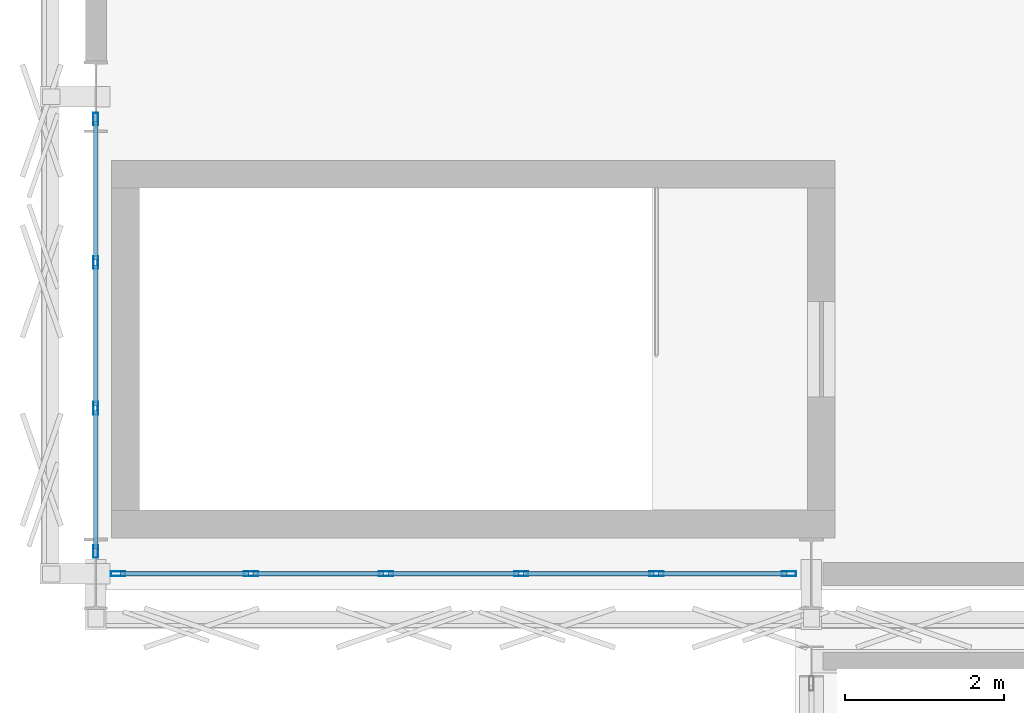
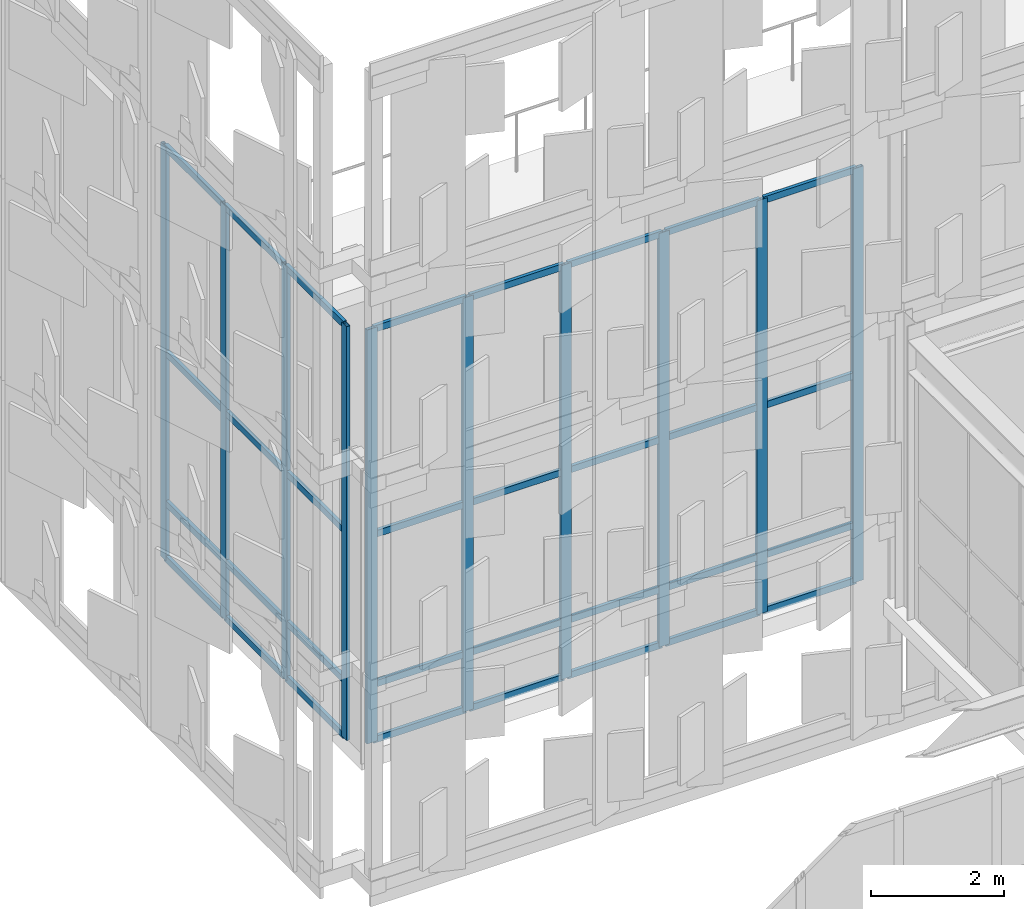
# One storey, part 48 of 210: 42 members, 2 elements without a shape of their own.
"""IFC4 building model written with IfcOpenShell, lengths in metres."""

import ifcopenshell
import ifcopenshell.guid

model = None  # the IFC model being written
_history = None  # IfcOwnerHistory: only IFC2X3 demands one
_inside = {}  # id of a spatial element -> (the spatial element, [elements in it])
_under = {}  # id of a project, library or spatial element -> (it, [spatial elements below it])
_declared = {}  # id of a project -> (the project, [libraries it declares])
_typed = {}  # id of a type object -> (the type object, [elements of that type])
_made_of = {}  # id of a material, layer set ... -> (it, [elements and type objects made of it])


def new_model(schema):
    """Start an empty IFC model of exactly this schema.

    Asked for "IFC4X3", IfcOpenShell would pick the latest addendum, in which some entities
    have other attributes; the version numbers below select the first issue.
    IFC2X3 requires an IfcOwnerHistory on every rooted entity: one is made here for all.
    """
    global model, _history
    if schema == "IFC4X3":
        model = ifcopenshell.file(schema_version=(4, 3, 0, 0))
    else:
        model = ifcopenshell.file(schema=schema)
    _inside.clear()
    _under.clear()
    _declared.clear()
    _typed.clear()
    _made_of.clear()
    _history = None
    if model.schema == "IFC2X3":
        org = make("IfcOrganization", Name="unknown")
        user = make(
            "IfcPersonAndOrganization",
            ThePerson=make("IfcPerson", FamilyName="unknown"),
            TheOrganization=org,
        )
        app = make(
            "IfcApplication",
            ApplicationDeveloper=org,
            Version="unknown",
            ApplicationFullName="unknown",
            ApplicationIdentifier="unknown",
        )
        _history = make(
            "IfcOwnerHistory",
            OwningUser=user,
            OwningApplication=app,
            ChangeAction="ADDED",
            CreationDate=0,
        )
    return model


def make(cls, **values):
    """One entity of the class cls with the attributes given. An attribute that is None is left unset."""
    return model.create_entity(
        cls, **{name: value for name, value in values.items() if value is not None}
    )


def rooted(cls, **values):
    """An entity with a GlobalId (a new one), such as an element, a storey or a relation."""
    return make(cls, GlobalId=ifcopenshell.guid.new(), OwnerHistory=_history, **values)


def si_unit(unit_type, name, prefix=None):
    """IfcSIUnit, for example si_unit("LENGTHUNIT", "METRE", prefix="MILLI")."""
    return make("IfcSIUnit", UnitType=unit_type, Prefix=prefix, Name=name)


def assignment(units):
    """IfcUnitAssignment: the units of a project."""
    return None if units is None else make("IfcUnitAssignment", Units=units)


def point(xyz):
    """IfcCartesianPoint."""
    return None if xyz is None else make("IfcCartesianPoint", Coordinates=xyz)


def direction(xyz):
    """IfcDirection."""
    return None if xyz is None else make("IfcDirection", DirectionRatios=xyz)


def frame(location, z_axis=None, x_axis=None):
    """IfcAxis2Placement3D, a coordinate frame: its origin and axes. An axis left out is left unset."""
    return make(
        "IfcAxis2Placement3D",
        Location=point(location),
        Axis=direction(z_axis),
        RefDirection=direction(x_axis),
    )


def frame_2d(location, x_axis=None):
    """IfcAxis2Placement2D, a coordinate frame in the plane: its origin and x axis."""
    return make(
        "IfcAxis2Placement2D", Location=point(location), RefDirection=direction(x_axis)
    )


def origin():
    """The frame at (0, 0, 0) with its axes left unset."""
    return frame((0.0, 0.0, 0.0))


def origin_2d():
    """The frame at (0, 0) in the plane with its x axis left unset."""
    return frame_2d((0.0, 0.0))


def place(relative_to, where):
    """IfcLocalPlacement: puts the frame where relative to a parent placement (None: the world)."""
    return make(
        "IfcLocalPlacement", PlacementRelTo=relative_to, RelativePlacement=where
    )


def context(
    kind, dimensions, precision=None, world=None, true_north=None, identifier=None
):
    """IfcGeometricRepresentationContext, for example the 3D "Model" context."""
    return make(
        "IfcGeometricRepresentationContext",
        ContextIdentifier=identifier,
        ContextType=kind,
        CoordinateSpaceDimension=dimensions,
        Precision=precision,
        WorldCoordinateSystem=world,
        TrueNorth=true_north,
    )


def subcontext(parent, identifier, kind, view, scale=None):
    """IfcGeometricRepresentationSubContext, for example "Body" below "Model"."""
    return make(
        "IfcGeometricRepresentationSubContext",
        ContextIdentifier=identifier,
        ContextType=kind,
        ParentContext=parent,
        TargetScale=scale,
        TargetView=view,
    )


def project(units=None, contexts=None):
    """IfcProject with its units and contexts."""
    return rooted(
        "IfcProject",
        Name="project",
        RepresentationContexts=contexts,
        UnitsInContext=assignment(units),
    )


def spatial(cls, under=None, at=None, **own):
    """A site, building, storey or space (cls), placed at a placement, below another one or the project."""
    s = rooted(cls, ObjectPlacement=at, **own)
    if under is not None:
        _under.setdefault(under.id(), (under, []))[1].append(s)
    return s


def profile(cls, at=None, kind="AREA", **sizes):
    """A parametric profile (cls). Its sizes go by their IFC names, for example OverallWidth=200.0."""
    return make(cls, ProfileType=kind, Position=at, **sizes)


def hollow_rectangle(**sizes):
    """IfcRectangleHollowProfileDef."""
    return profile("IfcRectangleHollowProfileDef", **sizes)


def extrude(swept, where, along, depth):
    """IfcExtrudedAreaSolid: the profile swept, set in the frame where, extruded along a direction by depth."""
    return make(
        "IfcExtrudedAreaSolid",
        SweptArea=swept,
        Position=where,
        ExtrudedDirection=direction(along),
        Depth=depth,
    )


def shape(context_of_items, identifier, shape_type, items):
    """IfcShapeRepresentation: the items that make up one representation, for example the "Body"."""
    return make(
        "IfcShapeRepresentation",
        ContextOfItems=context_of_items,
        RepresentationIdentifier=identifier,
        RepresentationType=shape_type,
        Items=items,
    )


def material(Name=None, Category=None):
    """IfcMaterial."""
    return make("IfcMaterial", Name=Name, Category=Category)


def material_profile(
    of_material, cross_section, Name=None, Category=None, Priority=None
):
    """IfcMaterialProfile: a cross section and its material."""
    return make(
        "IfcMaterialProfile",
        Name=Name,
        Material=of_material,
        Profile=cross_section,
        Priority=Priority,
        Category=Category,
    )


def profile_set(profiles, Name=None, composite=None):
    """IfcMaterialProfileSet."""
    return make(
        "IfcMaterialProfileSet",
        Name=Name,
        MaterialProfiles=profiles,
        CompositeProfile=composite,
    )


def made_of(thing, what):
    """Note that an element or type object is made of a material, layer set ...; save() writes the relation."""
    if what is not None:
        _made_of.setdefault(what.id(), (what, []))[1].append(thing)
    return thing


def type_object(cls, material=None, **own):
    """A type object (cls), such as IfcWallType, which elements share."""
    return made_of(rooted(cls, **own), material)


def element(
    cls,
    number,
    at=None,
    inside=None,
    cuts=None,
    type_object=None,
    material=None,
    context=None,
    identifier="Body",
    shape_type=None,
    held_by="IfcProductDefinitionShape",
    body=None,
    shapes=None,
    **own,
):
    """One element of the class cls, such as IfcWall. Its Tag is "e" and its number.

    at: its placement. inside: the storey or other place that contains it. cuts: it is an
    opening in that element (IfcRelVoidsElement). A single representation is given by context,
    identifier, shape_type and body (its items); several are given by shapes. held_by: the class
    of the entity that holds the representations. save() writes the other relations.
    """
    e = rooted(cls, Tag="e%d" % number, ObjectPlacement=at, **own)
    if body is not None:
        shapes = [shape(context, identifier, shape_type, body)]
    if shapes is not None:
        e.Representation = make(held_by, Representations=shapes)
    if inside is not None:
        _inside.setdefault(inside.id(), (inside, []))[1].append(e)
    if cuts is not None:
        rooted(
            "IfcRelVoidsElement", RelatingBuildingElement=cuts, RelatedOpeningElement=e
        )
    if type_object is not None:
        _typed.setdefault(type_object.id(), (type_object, []))[1].append(e)
    return made_of(e, material)


def aggregate(whole, parts):
    """IfcRelAggregates: a whole, such as a stair, and the parts it consists of."""
    return rooted("IfcRelAggregates", RelatingObject=whole, RelatedObjects=parts)


def save(model, path):
    """Write the relations noted so far, then the file.

    IfcRelAggregates (storeys below a building ...), IfcRelContainedInSpatialStructure (elements
    in a storey), IfcRelDefinesByType, IfcRelAssociatesMaterial and IfcRelDeclares: one each for
    every whole, place, type object, material and project.
    """
    for whole, parts in _under.values():
        aggregate(whole, parts)
    for where, things in _inside.values():
        rooted(
            "IfcRelContainedInSpatialStructure",
            RelatedElements=things,
            RelatingStructure=where,
        )
    for kind, things in _typed.values():
        rooted("IfcRelDefinesByType", RelatedObjects=things, RelatingType=kind)
    for what, things in _made_of.values():
        rooted("IfcRelAssociatesMaterial", RelatedObjects=things, RelatingMaterial=what)
    for by, libraries in _declared.values():
        rooted("IfcRelDeclares", RelatingContext=by, RelatedDefinitions=libraries)
    model.write(path)


model = new_model("IFC4")

# Units and contexts
model_context = context("Model", 3, precision=1e-05, world=origin(), true_north=direction((0.0, 1.0)))
body_context = subcontext(model_context, "Body", "Model", "MODEL_VIEW")
ifc_project = project(units=[si_unit("LENGTHUNIT", "METRE"), si_unit("AREAUNIT", "SQUARE_METRE"), si_unit("VOLUMEUNIT", "CUBIC_METRE"), si_unit("PLANEANGLEUNIT", "RADIAN"), si_unit("MASSUNIT", "GRAM", prefix="KILO")], contexts=[model_context])

# Site, building, storey
site_placement = place(None, origin())
site = spatial("IfcSite", under=ifc_project, at=site_placement, CompositionType="ELEMENT")
building_placement = place(site_placement, origin())
building = spatial("IfcBuilding", under=site, at=building_placement, Name="Kaldris Quays Convention Centre", CompositionType="ELEMENT")
storey_placement = place(building_placement, frame((0.0, 0.0, 6.0)))
storey = spatial("IfcBuildingStorey", under=building, at=storey_placement, Name="L01", CompositionType="ELEMENT", Elevation=6.0)

# Curtain wall, members
ifc_material_1 = material(Name="Anodized aluminium AW-6060 and triple glazing", Category="aluminium")
curtain_wall_type = type_object("IfcCurtainWallType", Name="UNITISED CURTAIN WALL CW03", PredefinedType="NOTDEFINED", material=ifc_material_1)
curtain_wall_1_placement = place(storey_placement, origin())
curtain_wall_1 = element("IfcCurtainWall", 1, at=curtain_wall_1_placement, inside=storey, type_object=curtain_wall_type, Name="L01 Unitised Curtain Wall CW03 15", PredefinedType="NOTDEFINED")
ifc_material_2 = material(Name="Anodized aluminium AW-6060", Category="aluminium")
ifc_material_profile_1 = material_profile(ifc_material_2, hollow_rectangle(XDim=0.06005859375, YDim=0.159912109375, WallThickness=0.00390625, at=origin_2d()), Name="RHS 160x60x4")
ifc_profile_set_1 = profile_set([ifc_material_profile_1], Name="Anodized aluminium AW-6060")
member_type_1 = type_object("IfcMemberType", Name="CURTAIN MULLION CWM1", PredefinedType="MULLION", material=ifc_profile_set_1)
member_1_placement = place(storey_placement, frame((20.0, 56.280029296875, 0.0), z_axis=(0.0, 0.0, 1.0), x_axis=(-1.0, 0.0, 0.0)))
member_1 = element("IfcMember", 2, at=member_1_placement, type_object=member_type_1, Name="CW03 mullion 1", PredefinedType="MULLION", context=body_context, shape_type="SweptSolid", body=[
    extrude(hollow_rectangle(XDim=0.06005859375, YDim=0.159912109375, WallThickness=0.00390625, at=origin_2d()), origin(), (0.0, 0.0, 1.0), 7.60009765625),
])
member_2_placement = place(storey_placement, frame((20.0, 58.083251953125, 0.0), z_axis=(0.0, 0.0, 1.0), x_axis=(-1.0, 0.0, 0.0)))
member_2 = element("IfcMember", 3, at=member_2_placement, type_object=member_type_1, Name="CW03 mullion 2", PredefinedType="MULLION", context=body_context, shape_type="SweptSolid", body=[
    extrude(hollow_rectangle(XDim=0.06005859375, YDim=0.159912109375, WallThickness=0.00390625, at=origin_2d()), origin(), (0.0, 0.0, 1.0), 7.60009765625),
])
member_3_placement = place(storey_placement, frame((20.0, 59.916748046875, 0.0), z_axis=(0.0, 0.0, 1.0), x_axis=(-1.0, 0.0, 0.0)))
member_3 = element("IfcMember", 4, at=member_3_placement, type_object=member_type_1, Name="CW03 mullion 3", PredefinedType="MULLION", context=body_context, shape_type="SweptSolid", body=[
    extrude(hollow_rectangle(XDim=0.06005859375, YDim=0.159912109375, WallThickness=0.00390625, at=origin_2d()), origin(), (0.0, 0.0, 1.0), 7.60009765625),
])
member_4_placement = place(storey_placement, frame((20.0, 61.719970703125, 0.0), z_axis=(0.0, 0.0, 1.0), x_axis=(-1.0, 0.0, 0.0)))
member_4 = element("IfcMember", 5, at=member_4_placement, type_object=member_type_1, Name="CW03 mullion 4", PredefinedType="MULLION", context=body_context, shape_type="SweptSolid", body=[
    extrude(hollow_rectangle(XDim=0.06005859375, YDim=0.159912109375, WallThickness=0.00390625, at=origin_2d()), origin(), (0.0, 0.0, 1.0), 7.60009765625),
])

curtain_wall_2_placement = place(storey_placement, origin())
curtain_wall_2 = element("IfcCurtainWall", 6, at=curtain_wall_2_placement, inside=storey, type_object=curtain_wall_type, Name="L01 Unitised Curtain Wall CW03 1", PredefinedType="NOTDEFINED")
ifc_material_profile_2 = material_profile(ifc_material_2, hollow_rectangle(XDim=0.06005859375, YDim=0.179931640625, WallThickness=0.0048828125, at=origin_2d()), Name="RHS 180x60x5")
ifc_profile_set_2 = profile_set([ifc_material_profile_2], Name="Anodized aluminium AW-6060")
member_type_2 = type_object("IfcMemberType", Name="CURTAIN MULLION CWM2", PredefinedType="MULLION", material=ifc_profile_set_2)
member_5_placement = place(storey_placement, frame((20.280029296875, 56.0, 0.0), z_axis=(0.0, 0.0, 1.0), x_axis=(0.0, 1.0, 0.0)))
member_5 = element("IfcMember", 7, at=member_5_placement, type_object=member_type_2, Name="CW03 mullion 1", PredefinedType="MULLION", context=body_context, shape_type="SweptSolid", body=[
    extrude(hollow_rectangle(XDim=0.06005859375, YDim=0.179931640625, WallThickness=0.0048828125, at=origin_2d()), origin(), (0.0, 0.0, 1.0), 7.60009765625),
])
member_6_placement = place(storey_placement, frame((21.949951171875, 56.0, 0.0), z_axis=(0.0, 0.0, 1.0), x_axis=(0.0, 1.0, 0.0)))
member_6 = element("IfcMember", 8, at=member_6_placement, type_object=member_type_2, Name="CW03 mullion 2", PredefinedType="MULLION", context=body_context, shape_type="SweptSolid", body=[
    extrude(hollow_rectangle(XDim=0.06005859375, YDim=0.179931640625, WallThickness=0.0048828125, at=origin_2d()), origin(), (0.0, 0.0, 1.0), 7.60009765625),
])
member_7_placement = place(storey_placement, frame((23.64990234375, 56.0, 0.0), z_axis=(0.0, 0.0, 1.0), x_axis=(0.0, 1.0, 0.0)))
member_7 = element("IfcMember", 9, at=member_7_placement, type_object=member_type_2, Name="CW03 mullion 3", PredefinedType="MULLION", context=body_context, shape_type="SweptSolid", body=[
    extrude(hollow_rectangle(XDim=0.06005859375, YDim=0.179931640625, WallThickness=0.0048828125, at=origin_2d()), origin(), (0.0, 0.0, 1.0), 7.60009765625),
])
member_8_placement = place(storey_placement, frame((25.35009765625, 56.0, 0.0), z_axis=(0.0, 0.0, 1.0), x_axis=(0.0, 1.0, 0.0)))
member_8 = element("IfcMember", 10, at=member_8_placement, type_object=member_type_2, Name="CW03 mullion 4", PredefinedType="MULLION", context=body_context, shape_type="SweptSolid", body=[
    extrude(hollow_rectangle(XDim=0.06005859375, YDim=0.179931640625, WallThickness=0.0048828125, at=origin_2d()), origin(), (0.0, 0.0, 1.0), 7.60009765625),
])
member_9_placement = place(storey_placement, frame((27.050048828125, 56.0, 0.0), z_axis=(0.0, 0.0, 1.0), x_axis=(0.0, 1.0, 0.0)))
member_9 = element("IfcMember", 11, at=member_9_placement, type_object=member_type_2, Name="CW03 mullion 5", PredefinedType="MULLION", context=body_context, shape_type="SweptSolid", body=[
    extrude(hollow_rectangle(XDim=0.06005859375, YDim=0.179931640625, WallThickness=0.0048828125, at=origin_2d()), origin(), (0.0, 0.0, 1.0), 7.60009765625),
])
member_10_placement = place(storey_placement, frame((28.719970703125, 56.0, 0.0), z_axis=(0.0, 0.0, 1.0), x_axis=(0.0, 1.0, 0.0)))
member_10 = element("IfcMember", 12, at=member_10_placement, type_object=member_type_2, Name="CW03 mullion 6", PredefinedType="MULLION", context=body_context, shape_type="SweptSolid", body=[
    extrude(hollow_rectangle(XDim=0.06005859375, YDim=0.179931640625, WallThickness=0.0048828125, at=origin_2d()), origin(), (0.0, 0.0, 1.0), 7.60009765625),
])
ifc_material_profile_3 = material_profile(ifc_material_2, hollow_rectangle(XDim=0.06005859375, YDim=0.1201171875, WallThickness=0.00390625, at=origin_2d()), Name="RHS 120x60x4")
ifc_profile_set_3 = profile_set([ifc_material_profile_3], Name="Anodized aluminium AW-6060")
member_type_3 = type_object("IfcMemberType", Name="CURTAIN TRANSOM CWT1", PredefinedType="USERDEFINED", material=ifc_profile_set_3)
member_11_placement = place(storey_placement, frame((20.31005859375, 56.0, 0.030029296875), z_axis=(1.0, 0.0, 0.0), x_axis=(0.0, 1.0, 0.0)))
member_11 = element("IfcMember", 13, at=member_11_placement, type_object=member_type_3, Name="CW03 transom 1.1", ObjectType="TRANSOM", PredefinedType="USERDEFINED", context=body_context, shape_type="SweptSolid", body=[
    extrude(hollow_rectangle(XDim=0.06005859375, YDim=0.1201171875, WallThickness=0.00390625, at=origin_2d()), origin(), (0.0, 0.0, 1.0), 1.60986328125),
])
member_12_placement = place(storey_placement, frame((20.31005859375, 56.0, 1.050048828125), z_axis=(1.0, 0.0, 0.0), x_axis=(0.0, 1.0, 0.0)))
member_12 = element("IfcMember", 14, at=member_12_placement, type_object=member_type_3, Name="CW03 transom 1.2", ObjectType="TRANSOM", PredefinedType="USERDEFINED", context=body_context, shape_type="SweptSolid", body=[
    extrude(hollow_rectangle(XDim=0.06005859375, YDim=0.1201171875, WallThickness=0.00390625, at=origin_2d()), origin(), (0.0, 0.0, 1.0), 1.60986328125),
])
member_13_placement = place(storey_placement, frame((20.31005859375, 56.0, 3.800048828125), z_axis=(1.0, 0.0, 0.0), x_axis=(0.0, 1.0, 0.0)))
member_13 = element("IfcMember", 15, at=member_13_placement, type_object=member_type_3, Name="CW03 transom 1.3", ObjectType="TRANSOM", PredefinedType="USERDEFINED", context=body_context, shape_type="SweptSolid", body=[
    extrude(hollow_rectangle(XDim=0.06005859375, YDim=0.1201171875, WallThickness=0.00390625, at=origin_2d()), origin(), (0.0, 0.0, 1.0), 1.60986328125),
])
member_14_placement = place(storey_placement, frame((20.31005859375, 56.0, 7.570068359375), z_axis=(1.0, 0.0, 0.0), x_axis=(0.0, 1.0, 0.0)))
member_14 = element("IfcMember", 16, at=member_14_placement, type_object=member_type_3, Name="CW03 transom 1.4", ObjectType="TRANSOM", PredefinedType="USERDEFINED", context=body_context, shape_type="SweptSolid", body=[
    extrude(hollow_rectangle(XDim=0.06005859375, YDim=0.1201171875, WallThickness=0.00390625, at=origin_2d()), origin(), (0.0, 0.0, 1.0), 1.60986328125),
])
member_15_placement = place(storey_placement, frame((21.97998046875, 56.0, 0.030029296875), z_axis=(1.0, 0.0, 0.0), x_axis=(0.0, 1.0, 0.0)))
member_15 = element("IfcMember", 17, at=member_15_placement, type_object=member_type_3, Name="CW03 transom 2.1", ObjectType="TRANSOM", PredefinedType="USERDEFINED", context=body_context, shape_type="SweptSolid", body=[
    extrude(hollow_rectangle(XDim=0.06005859375, YDim=0.1201171875, WallThickness=0.00390625, at=origin_2d()), origin(), (0.0, 0.0, 1.0), 1.64013671875),
])
member_16_placement = place(storey_placement, frame((21.97998046875, 56.0, 1.050048828125), z_axis=(1.0, 0.0, 0.0), x_axis=(0.0, 1.0, 0.0)))
member_16 = element("IfcMember", 18, at=member_16_placement, type_object=member_type_3, Name="CW03 transom 2.2", ObjectType="TRANSOM", PredefinedType="USERDEFINED", context=body_context, shape_type="SweptSolid", body=[
    extrude(hollow_rectangle(XDim=0.06005859375, YDim=0.1201171875, WallThickness=0.00390625, at=origin_2d()), origin(), (0.0, 0.0, 1.0), 1.64013671875),
])
member_17_placement = place(storey_placement, frame((21.97998046875, 56.0, 3.800048828125), z_axis=(1.0, 0.0, 0.0), x_axis=(0.0, 1.0, 0.0)))
member_17 = element("IfcMember", 19, at=member_17_placement, type_object=member_type_3, Name="CW03 transom 2.3", ObjectType="TRANSOM", PredefinedType="USERDEFINED", context=body_context, shape_type="SweptSolid", body=[
    extrude(hollow_rectangle(XDim=0.06005859375, YDim=0.1201171875, WallThickness=0.00390625, at=origin_2d()), origin(), (0.0, 0.0, 1.0), 1.64013671875),
])
member_18_placement = place(storey_placement, frame((21.97998046875, 56.0, 7.570068359375), z_axis=(1.0, 0.0, 0.0), x_axis=(0.0, 1.0, 0.0)))
member_18 = element("IfcMember", 20, at=member_18_placement, type_object=member_type_3, Name="CW03 transom 2.4", ObjectType="TRANSOM", PredefinedType="USERDEFINED", context=body_context, shape_type="SweptSolid", body=[
    extrude(hollow_rectangle(XDim=0.06005859375, YDim=0.1201171875, WallThickness=0.00390625, at=origin_2d()), origin(), (0.0, 0.0, 1.0), 1.64013671875),
])
member_19_placement = place(storey_placement, frame((23.679931640625, 56.0, 0.030029296875), z_axis=(1.0, 0.0, 0.0), x_axis=(0.0, 1.0, 0.0)))
member_19 = element("IfcMember", 21, at=member_19_placement, type_object=member_type_3, Name="CW03 transom 3.1", ObjectType="TRANSOM", PredefinedType="USERDEFINED", context=body_context, shape_type="SweptSolid", body=[
    extrude(hollow_rectangle(XDim=0.06005859375, YDim=0.1201171875, WallThickness=0.00390625, at=origin_2d()), origin(), (0.0, 0.0, 1.0), 1.64013671875),
])
member_20_placement = place(storey_placement, frame((23.679931640625, 56.0, 1.050048828125), z_axis=(1.0, 0.0, 0.0), x_axis=(0.0, 1.0, 0.0)))
member_20 = element("IfcMember", 22, at=member_20_placement, type_object=member_type_3, Name="CW03 transom 3.2", ObjectType="TRANSOM", PredefinedType="USERDEFINED", context=body_context, shape_type="SweptSolid", body=[
    extrude(hollow_rectangle(XDim=0.06005859375, YDim=0.1201171875, WallThickness=0.00390625, at=origin_2d()), origin(), (0.0, 0.0, 1.0), 1.64013671875),
])
member_21_placement = place(storey_placement, frame((23.679931640625, 56.0, 3.800048828125), z_axis=(1.0, 0.0, 0.0), x_axis=(0.0, 1.0, 0.0)))
member_21 = element("IfcMember", 23, at=member_21_placement, type_object=member_type_3, Name="CW03 transom 3.3", ObjectType="TRANSOM", PredefinedType="USERDEFINED", context=body_context, shape_type="SweptSolid", body=[
    extrude(hollow_rectangle(XDim=0.06005859375, YDim=0.1201171875, WallThickness=0.00390625, at=origin_2d()), origin(), (0.0, 0.0, 1.0), 1.64013671875),
])
member_22_placement = place(storey_placement, frame((23.679931640625, 56.0, 7.570068359375), z_axis=(1.0, 0.0, 0.0), x_axis=(0.0, 1.0, 0.0)))
member_22 = element("IfcMember", 24, at=member_22_placement, type_object=member_type_3, Name="CW03 transom 3.4", ObjectType="TRANSOM", PredefinedType="USERDEFINED", context=body_context, shape_type="SweptSolid", body=[
    extrude(hollow_rectangle(XDim=0.06005859375, YDim=0.1201171875, WallThickness=0.00390625, at=origin_2d()), origin(), (0.0, 0.0, 1.0), 1.64013671875),
])
member_23_placement = place(storey_placement, frame((25.3798828125, 56.0, 0.030029296875), z_axis=(1.0, 0.0, 0.0), x_axis=(0.0, 1.0, 0.0)))
member_23 = element("IfcMember", 25, at=member_23_placement, type_object=member_type_3, Name="CW03 transom 4.1", ObjectType="TRANSOM", PredefinedType="USERDEFINED", context=body_context, shape_type="SweptSolid", body=[
    extrude(hollow_rectangle(XDim=0.06005859375, YDim=0.1201171875, WallThickness=0.00390625, at=origin_2d()), origin(), (0.0, 0.0, 1.0), 1.64013671875),
])
member_24_placement = place(storey_placement, frame((25.3798828125, 56.0, 1.050048828125), z_axis=(1.0, 0.0, 0.0), x_axis=(0.0, 1.0, 0.0)))
member_24 = element("IfcMember", 26, at=member_24_placement, type_object=member_type_3, Name="CW03 transom 4.2", ObjectType="TRANSOM", PredefinedType="USERDEFINED", context=body_context, shape_type="SweptSolid", body=[
    extrude(hollow_rectangle(XDim=0.06005859375, YDim=0.1201171875, WallThickness=0.00390625, at=origin_2d()), origin(), (0.0, 0.0, 1.0), 1.64013671875),
])
member_25_placement = place(storey_placement, frame((25.3798828125, 56.0, 3.800048828125), z_axis=(1.0, 0.0, 0.0), x_axis=(0.0, 1.0, 0.0)))
member_25 = element("IfcMember", 27, at=member_25_placement, type_object=member_type_3, Name="CW03 transom 4.3", ObjectType="TRANSOM", PredefinedType="USERDEFINED", context=body_context, shape_type="SweptSolid", body=[
    extrude(hollow_rectangle(XDim=0.06005859375, YDim=0.1201171875, WallThickness=0.00390625, at=origin_2d()), origin(), (0.0, 0.0, 1.0), 1.64013671875),
])
member_26_placement = place(storey_placement, frame((25.3798828125, 56.0, 7.570068359375), z_axis=(1.0, 0.0, 0.0), x_axis=(0.0, 1.0, 0.0)))
member_26 = element("IfcMember", 28, at=member_26_placement, type_object=member_type_3, Name="CW03 transom 4.4", ObjectType="TRANSOM", PredefinedType="USERDEFINED", context=body_context, shape_type="SweptSolid", body=[
    extrude(hollow_rectangle(XDim=0.06005859375, YDim=0.1201171875, WallThickness=0.00390625, at=origin_2d()), origin(), (0.0, 0.0, 1.0), 1.64013671875),
])
member_27_placement = place(storey_placement, frame((27.080078125, 56.0, 0.030029296875), z_axis=(1.0, 0.0, 0.0), x_axis=(0.0, 1.0, 0.0)))
member_27 = element("IfcMember", 29, at=member_27_placement, type_object=member_type_3, Name="CW03 transom 5.1", ObjectType="TRANSOM", PredefinedType="USERDEFINED", context=body_context, shape_type="SweptSolid", body=[
    extrude(hollow_rectangle(XDim=0.06005859375, YDim=0.1201171875, WallThickness=0.00390625, at=origin_2d()), origin(), (0.0, 0.0, 1.0), 1.60986328125),
])
member_28_placement = place(storey_placement, frame((27.080078125, 56.0, 1.050048828125), z_axis=(1.0, 0.0, 0.0), x_axis=(0.0, 1.0, 0.0)))
member_28 = element("IfcMember", 30, at=member_28_placement, type_object=member_type_3, Name="CW03 transom 5.2", ObjectType="TRANSOM", PredefinedType="USERDEFINED", context=body_context, shape_type="SweptSolid", body=[
    extrude(hollow_rectangle(XDim=0.06005859375, YDim=0.1201171875, WallThickness=0.00390625, at=origin_2d()), origin(), (0.0, 0.0, 1.0), 1.60986328125),
])
member_29_placement = place(storey_placement, frame((27.080078125, 56.0, 3.800048828125), z_axis=(1.0, 0.0, 0.0), x_axis=(0.0, 1.0, 0.0)))
member_29 = element("IfcMember", 31, at=member_29_placement, type_object=member_type_3, Name="CW03 transom 5.3", ObjectType="TRANSOM", PredefinedType="USERDEFINED", context=body_context, shape_type="SweptSolid", body=[
    extrude(hollow_rectangle(XDim=0.06005859375, YDim=0.1201171875, WallThickness=0.00390625, at=origin_2d()), origin(), (0.0, 0.0, 1.0), 1.60986328125),
])
member_30_placement = place(storey_placement, frame((27.080078125, 56.0, 7.570068359375), z_axis=(1.0, 0.0, 0.0), x_axis=(0.0, 1.0, 0.0)))
member_30 = element("IfcMember", 32, at=member_30_placement, type_object=member_type_3, Name="CW03 transom 5.4", ObjectType="TRANSOM", PredefinedType="USERDEFINED", context=body_context, shape_type="SweptSolid", body=[
    extrude(hollow_rectangle(XDim=0.06005859375, YDim=0.1201171875, WallThickness=0.00390625, at=origin_2d()), origin(), (0.0, 0.0, 1.0), 1.60986328125),
])
aggregate(curtain_wall_2, [member_5, member_6, member_7, member_8, member_9, member_10, member_11, member_12, member_13, member_14, member_15, member_16, member_17, member_18, member_19, member_20, member_21, member_22, member_23, member_24, member_25, member_26, member_27, member_28, member_29, member_30])

# Member
member_31_placement = place(storey_placement, frame((20.0, 56.31005859375, 0.030029296875), z_axis=(0.0, 1.0, 0.0), x_axis=(-1.0, 0.0, 0.0)))
member_31 = element("IfcMember", 33, at=member_31_placement, type_object=member_type_3, Name="CW03 transom 1.1", ObjectType="TRANSOM", PredefinedType="USERDEFINED", context=body_context, shape_type="SweptSolid", body=[
    extrude(hollow_rectangle(XDim=0.06005859375, YDim=0.1201171875, WallThickness=0.00390625, at=origin_2d()), origin(), (0.0, 0.0, 1.0), 1.7431640625),
])

member_32_placement = place(storey_placement, frame((20.0, 56.31005859375, 1.050048828125), z_axis=(0.0, 1.0, 0.0), x_axis=(-1.0, 0.0, 0.0)))
member_32 = element("IfcMember", 34, at=member_32_placement, type_object=member_type_3, Name="CW03 transom 1.2", ObjectType="TRANSOM", PredefinedType="USERDEFINED", context=body_context, shape_type="SweptSolid", body=[
    extrude(hollow_rectangle(XDim=0.06005859375, YDim=0.1201171875, WallThickness=0.00390625, at=origin_2d()), origin(), (0.0, 0.0, 1.0), 1.7431640625),
])

member_33_placement = place(storey_placement, frame((20.0, 56.31005859375, 3.800048828125), z_axis=(0.0, 1.0, 0.0), x_axis=(-1.0, 0.0, 0.0)))
member_33 = element("IfcMember", 35, at=member_33_placement, type_object=member_type_3, Name="CW03 transom 1.3", ObjectType="TRANSOM", PredefinedType="USERDEFINED", context=body_context, shape_type="SweptSolid", body=[
    extrude(hollow_rectangle(XDim=0.06005859375, YDim=0.1201171875, WallThickness=0.00390625, at=origin_2d()), origin(), (0.0, 0.0, 1.0), 1.7431640625),
])

member_34_placement = place(storey_placement, frame((20.0, 56.31005859375, 7.570068359375), z_axis=(0.0, 1.0, 0.0), x_axis=(-1.0, 0.0, 0.0)))
member_34 = element("IfcMember", 36, at=member_34_placement, type_object=member_type_3, Name="CW03 transom 1.4", ObjectType="TRANSOM", PredefinedType="USERDEFINED", context=body_context, shape_type="SweptSolid", body=[
    extrude(hollow_rectangle(XDim=0.06005859375, YDim=0.1201171875, WallThickness=0.00390625, at=origin_2d()), origin(), (0.0, 0.0, 1.0), 1.7431640625),
])

member_35_placement = place(storey_placement, frame((20.0, 58.11328125, 0.030029296875), z_axis=(0.0, 1.0, 0.0), x_axis=(-1.0, 0.0, 0.0)))
member_35 = element("IfcMember", 37, at=member_35_placement, type_object=member_type_3, Name="CW03 transom 2.1", ObjectType="TRANSOM", PredefinedType="USERDEFINED", context=body_context, shape_type="SweptSolid", body=[
    extrude(hollow_rectangle(XDim=0.06005859375, YDim=0.1201171875, WallThickness=0.00390625, at=origin_2d()), origin(), (0.0, 0.0, 1.0), 1.7734375),
])

member_36_placement = place(storey_placement, frame((20.0, 58.11328125, 1.050048828125), z_axis=(0.0, 1.0, 0.0), x_axis=(-1.0, 0.0, 0.0)))
member_36 = element("IfcMember", 38, at=member_36_placement, type_object=member_type_3, Name="CW03 transom 2.2", ObjectType="TRANSOM", PredefinedType="USERDEFINED", context=body_context, shape_type="SweptSolid", body=[
    extrude(hollow_rectangle(XDim=0.06005859375, YDim=0.1201171875, WallThickness=0.00390625, at=origin_2d()), origin(), (0.0, 0.0, 1.0), 1.7734375),
])

member_37_placement = place(storey_placement, frame((20.0, 58.11328125, 3.800048828125), z_axis=(0.0, 1.0, 0.0), x_axis=(-1.0, 0.0, 0.0)))
member_37 = element("IfcMember", 39, at=member_37_placement, type_object=member_type_3, Name="CW03 transom 2.3", ObjectType="TRANSOM", PredefinedType="USERDEFINED", context=body_context, shape_type="SweptSolid", body=[
    extrude(hollow_rectangle(XDim=0.06005859375, YDim=0.1201171875, WallThickness=0.00390625, at=origin_2d()), origin(), (0.0, 0.0, 1.0), 1.7734375),
])

member_38_placement = place(storey_placement, frame((20.0, 58.11328125, 7.570068359375), z_axis=(0.0, 1.0, 0.0), x_axis=(-1.0, 0.0, 0.0)))
member_38 = element("IfcMember", 40, at=member_38_placement, type_object=member_type_3, Name="CW03 transom 2.4", ObjectType="TRANSOM", PredefinedType="USERDEFINED", context=body_context, shape_type="SweptSolid", body=[
    extrude(hollow_rectangle(XDim=0.06005859375, YDim=0.1201171875, WallThickness=0.00390625, at=origin_2d()), origin(), (0.0, 0.0, 1.0), 1.7734375),
])

member_39_placement = place(storey_placement, frame((20.0, 59.94677734375, 0.030029296875), z_axis=(0.0, 1.0, 0.0), x_axis=(-1.0, 0.0, 0.0)))
member_39 = element("IfcMember", 41, at=member_39_placement, type_object=member_type_3, Name="CW03 transom 3.1", ObjectType="TRANSOM", PredefinedType="USERDEFINED", context=body_context, shape_type="SweptSolid", body=[
    extrude(hollow_rectangle(XDim=0.06005859375, YDim=0.1201171875, WallThickness=0.00390625, at=origin_2d()), origin(), (0.0, 0.0, 1.0), 1.7431640625),
])

member_40_placement = place(storey_placement, frame((20.0, 59.94677734375, 1.050048828125), z_axis=(0.0, 1.0, 0.0), x_axis=(-1.0, 0.0, 0.0)))
member_40 = element("IfcMember", 42, at=member_40_placement, type_object=member_type_3, Name="CW03 transom 3.2", ObjectType="TRANSOM", PredefinedType="USERDEFINED", context=body_context, shape_type="SweptSolid", body=[
    extrude(hollow_rectangle(XDim=0.06005859375, YDim=0.1201171875, WallThickness=0.00390625, at=origin_2d()), origin(), (0.0, 0.0, 1.0), 1.7431640625),
])

member_41_placement = place(storey_placement, frame((20.0, 59.94677734375, 3.800048828125), z_axis=(0.0, 1.0, 0.0), x_axis=(-1.0, 0.0, 0.0)))
member_41 = element("IfcMember", 43, at=member_41_placement, type_object=member_type_3, Name="CW03 transom 3.3", ObjectType="TRANSOM", PredefinedType="USERDEFINED", context=body_context, shape_type="SweptSolid", body=[
    extrude(hollow_rectangle(XDim=0.06005859375, YDim=0.1201171875, WallThickness=0.00390625, at=origin_2d()), origin(), (0.0, 0.0, 1.0), 1.7431640625),
])

member_42_placement = place(storey_placement, frame((20.0, 59.94677734375, 7.570068359375), z_axis=(0.0, 1.0, 0.0), x_axis=(-1.0, 0.0, 0.0)))
member_42 = element("IfcMember", 44, at=member_42_placement, type_object=member_type_3, Name="CW03 transom 3.4", ObjectType="TRANSOM", PredefinedType="USERDEFINED", context=body_context, shape_type="SweptSolid", body=[
    extrude(hollow_rectangle(XDim=0.06005859375, YDim=0.1201171875, WallThickness=0.00390625, at=origin_2d()), origin(), (0.0, 0.0, 1.0), 1.7431640625),
])

aggregate(curtain_wall_1, [member_1, member_2, member_3, member_4, member_31, member_32, member_33, member_34, member_35, member_36, member_37, member_38, member_39, member_40, member_41, member_42])

save(model, "model.ifc")
